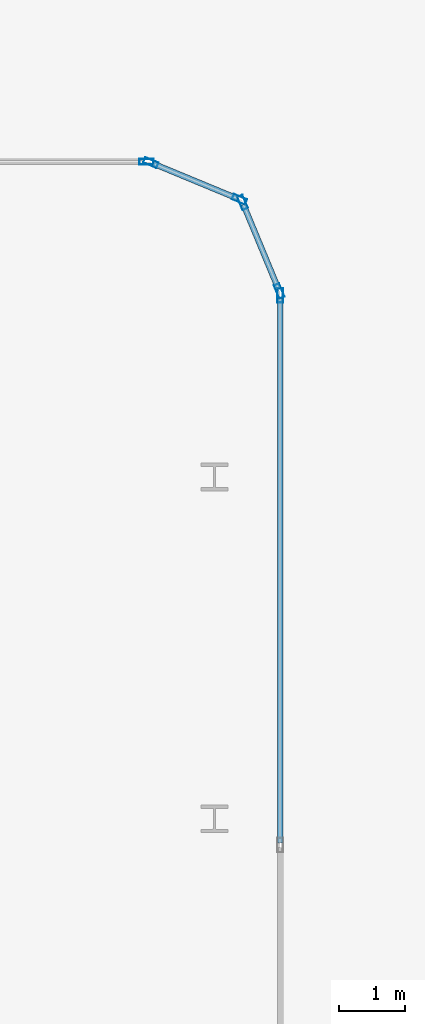
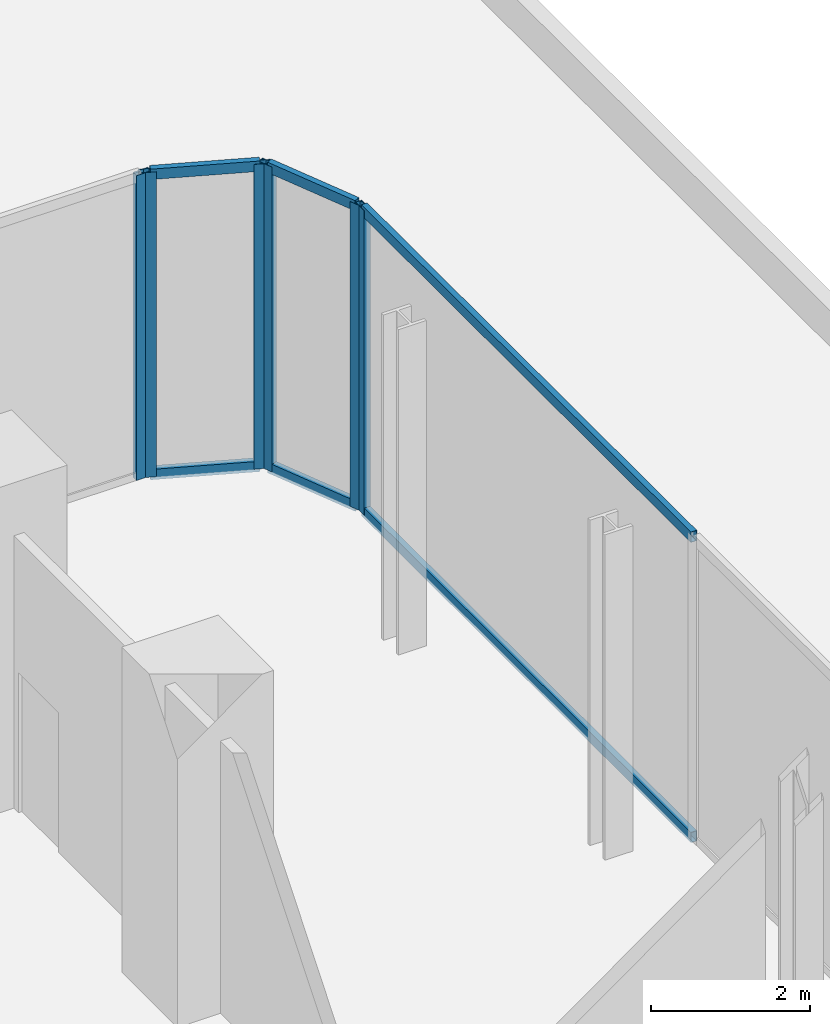
# One storey, part 16 of 29: 12 members, 4 elements without a shape of their own.
"""IFC4 building model written with IfcOpenShell, lengths in metres."""

from ifc_helpers import new_model, si_unit, direction, frame, origin, origin_2d, place, context, subcontext, project, spatial, hollow_rectangle, extrude, material, layer, layer_set, material_profile, profile_set, type_object, element, aggregate, save


model = new_model("IFC4")

# Units and contexts
model_context = context("Model", 3, precision=1e-05, world=origin(), true_north=direction((0.0, 1.0)))
body_context = subcontext(model_context, "Body", "Model", "MODEL_VIEW")
ifc_project = project(units=[si_unit("LENGTHUNIT", "METRE"), si_unit("AREAUNIT", "SQUARE_METRE"), si_unit("VOLUMEUNIT", "CUBIC_METRE"), si_unit("PLANEANGLEUNIT", "RADIAN"), si_unit("MASSUNIT", "GRAM", prefix="KILO")], contexts=[model_context])

# Site, building, storey
site_placement = place(None, origin())
site = spatial("IfcSite", under=ifc_project, at=site_placement, CompositionType="ELEMENT")
building_placement = place(site_placement, origin())
building = spatial("IfcBuilding", under=site, at=building_placement, Name="Keshet Zoharim Tower", CompositionType="ELEMENT")
storey_placement = place(building_placement, frame((0.0, 0.0, 19.0)))
storey = spatial("IfcBuildingStorey", under=building, at=storey_placement, Name="L03", CompositionType="ELEMENT", Elevation=19.0)

# Curtain wall, member
ifc_material = material(Name="Aluminium 6063-T6", Category="aluminium")
ifc_layer = layer(ifc_material, 0.169921875)
ifc_layer_set = layer_set([ifc_layer], Name="Aluminium 6063-T6")
curtain_wall_type = type_object("IfcCurtainWallType", Name="CW-SYS-02", PredefinedType="NOTDEFINED", material=ifc_layer_set)
curtain_wall_1_placement = place(storey_placement, origin())
curtain_wall_1 = element("IfcCurtainWall", 1, at=curtain_wall_1_placement, inside=storey, type_object=curtain_wall_type, Name="L03 Unitised Curtain Wall 12", PredefinedType="NOTDEFINED")
ifc_material_profile_1 = material_profile(ifc_material, hollow_rectangle(XDim=0.090087890625, YDim=0.219970703125, WallThickness=0.0048828125, at=origin_2d()), Name="MUL-90x220")
ifc_profile_set_1 = profile_set([ifc_material_profile_1], Name="Aluminium 6063-T6")
member_type_1 = type_object("IfcMemberType", Name="CWM-M22", PredefinedType="MULLION", material=ifc_profile_set_1)
member_1_placement = place(storey_placement, frame((67.965087890625, 32.699951171875, 0.0), z_axis=(0.0, 0.0, 1.0), x_axis=(0.0, 1.0, 0.0)))
member_1 = element("IfcMember", 2, at=member_1_placement, type_object=member_type_1, Name="CW-02 mullion 2", PredefinedType="MULLION", context=body_context, shape_type="SweptSolid", body=[
    extrude(hollow_rectangle(XDim=0.090087890625, YDim=0.219970703125, WallThickness=0.0048828125, at=origin_2d()), origin(), (0.0, 0.0, 1.0), 4.68505859375),
])
aggregate(curtain_wall_1, [member_1])

# Curtain wall, members
curtain_wall_2_placement = place(storey_placement, origin())
curtain_wall_2 = element("IfcCurtainWall", 3, at=curtain_wall_2_placement, inside=storey, type_object=curtain_wall_type, Name="L03 Unitised Curtain Wall 13", PredefinedType="NOTDEFINED")
member_2_placement = place(storey_placement, frame((68.0322265625, 32.6865234375, 0.0), z_axis=(0.0, 0.0, 1.0), x_axis=(0.382851849847, 0.92380975372, 0.0)))
member_2 = element("IfcMember", 4, at=member_2_placement, type_object=member_type_1, Name="CW-02 mullion 1", PredefinedType="MULLION", context=body_context, shape_type="SweptSolid", body=[
    extrude(hollow_rectangle(XDim=0.090087890625, YDim=0.219970703125, WallThickness=0.0048828125, at=origin_2d()), origin(), (0.0, 0.0, 1.0), 4.68505859375),
])
member_3_placement = place(storey_placement, frame((69.381591796875, 32.12744140625, 0.0), z_axis=(0.0, 0.0, 1.0), x_axis=(0.382851849847, 0.92380975372, 0.0)))
member_3 = element("IfcMember", 5, at=member_3_placement, type_object=member_type_1, Name="CW-02 mullion 2", PredefinedType="MULLION", context=body_context, shape_type="SweptSolid", body=[
    extrude(hollow_rectangle(XDim=0.090087890625, YDim=0.219970703125, WallThickness=0.0048828125, at=origin_2d()), origin(), (0.0, 0.0, 1.0), 4.68505859375),
])

curtain_wall_3_placement = place(storey_placement, origin())
curtain_wall_3 = element("IfcCurtainWall", 6, at=curtain_wall_3_placement, inside=storey, type_object=curtain_wall_type, Name="L03 Unitised Curtain Wall 14", PredefinedType="NOTDEFINED")
member_4_placement = place(storey_placement, frame((69.427490234375, 32.081787109375, 0.0), z_axis=(0.0, 0.0, 1.0), x_axis=(0.92380975372, 0.382851849847, 0.0)))
member_4 = element("IfcMember", 7, at=member_4_placement, type_object=member_type_1, Name="CW-02 mullion 1", PredefinedType="MULLION", context=body_context, shape_type="SweptSolid", body=[
    extrude(hollow_rectangle(XDim=0.090087890625, YDim=0.219970703125, WallThickness=0.0048828125, at=origin_2d()), origin(), (0.0, 0.0, 1.0), 4.68505859375),
])
member_5_placement = place(storey_placement, frame((69.986572265625, 30.732421875, 0.0), z_axis=(0.0, 0.0, 1.0), x_axis=(0.92380975372, 0.382851849847, 0.0)))
member_5 = element("IfcMember", 8, at=member_5_placement, type_object=member_type_1, Name="CW-02 mullion 2", PredefinedType="MULLION", context=body_context, shape_type="SweptSolid", body=[
    extrude(hollow_rectangle(XDim=0.090087890625, YDim=0.219970703125, WallThickness=0.0048828125, at=origin_2d()), origin(), (0.0, 0.0, 1.0), 4.68505859375),
])

# Curtain wall, member
curtain_wall_4_placement = place(storey_placement, origin())
curtain_wall_4 = element("IfcCurtainWall", 9, at=curtain_wall_4_placement, inside=storey, type_object=curtain_wall_type, Name="L03 Unitised Curtain Wall 15", PredefinedType="NOTDEFINED")
member_6_placement = place(storey_placement, frame((70.0, 30.6650390625, 0.0), z_axis=(0.0, 0.0, 1.0), x_axis=(1.0, 0.0, 0.0)))
member_6 = element("IfcMember", 10, at=member_6_placement, type_object=member_type_1, Name="CW-02 mullion 1", PredefinedType="MULLION", context=body_context, shape_type="SweptSolid", body=[
    extrude(hollow_rectangle(XDim=0.090087890625, YDim=0.219970703125, WallThickness=0.0048828125, at=origin_2d()), origin(), (0.0, 0.0, 1.0), 4.68505859375),
])

# Member
ifc_material_profile_2 = material_profile(ifc_material, hollow_rectangle(XDim=0.0849609375, YDim=0.159912109375, WallThickness=0.00439453125, at=origin_2d()), Name="TRN-85x160")
ifc_profile_set_2 = profile_set([ifc_material_profile_2], Name="Aluminium 6063-T6")
member_type_2 = type_object("IfcMemberType", Name="CWT-T16", PredefinedType="USERDEFINED", material=ifc_profile_set_2)
member_7_placement = place(storey_placement, frame((68.064697265625, 32.673095703125, 0.034912109375), z_axis=(0.923854189844, -0.382744609247, 0.0), x_axis=(0.382744609247, 0.923854189844, 0.0)))
member_7 = element("IfcMember", 11, at=member_7_placement, type_object=member_type_2, Name="CW-02 transom 1.1", ObjectType="TRANSOM", PredefinedType="USERDEFINED", context=body_context, shape_type="SweptSolid", body=[
    extrude(hollow_rectangle(XDim=0.0849609375, YDim=0.159912109375, WallThickness=0.00439453125, at=origin_2d()), origin(), (0.0, 0.0, 1.0), 1.390625),
])

member_8_placement = place(storey_placement, frame((68.064697265625, 32.673095703125, 4.64990234375), z_axis=(0.923854189844, -0.382744609247, 0.0), x_axis=(0.382744609247, 0.923854189844, 0.0)))
member_8 = element("IfcMember", 12, at=member_8_placement, type_object=member_type_2, Name="CW-02 transom 1.2", ObjectType="TRANSOM", PredefinedType="USERDEFINED", context=body_context, shape_type="SweptSolid", body=[
    extrude(hollow_rectangle(XDim=0.0849609375, YDim=0.159912109375, WallThickness=0.00439453125, at=origin_2d()), origin(), (0.0, 0.0, 1.0), 1.390625),
])

aggregate(curtain_wall_2, [member_2, member_3, member_7, member_8])

member_9_placement = place(storey_placement, frame((69.44091796875, 32.04931640625, 0.034912109375), z_axis=(0.382744609247, -0.923854189844, 0.0), x_axis=(0.923854189844, 0.382744609247, 0.0)))
member_9 = element("IfcMember", 13, at=member_9_placement, type_object=member_type_2, Name="CW-02 transom 1.1", ObjectType="TRANSOM", PredefinedType="USERDEFINED", context=body_context, shape_type="SweptSolid", body=[
    extrude(hollow_rectangle(XDim=0.0849609375, YDim=0.159912109375, WallThickness=0.00439453125, at=origin_2d()), origin(), (0.0, 0.0, 1.0), 1.390625),
])

member_10_placement = place(storey_placement, frame((69.44091796875, 32.04931640625, 4.64990234375), z_axis=(0.382744609247, -0.923854189844, 0.0), x_axis=(0.923854189844, 0.382744609247, 0.0)))
member_10 = element("IfcMember", 14, at=member_10_placement, type_object=member_type_2, Name="CW-02 transom 1.2", ObjectType="TRANSOM", PredefinedType="USERDEFINED", context=body_context, shape_type="SweptSolid", body=[
    extrude(hollow_rectangle(XDim=0.0849609375, YDim=0.159912109375, WallThickness=0.00439453125, at=origin_2d()), origin(), (0.0, 0.0, 1.0), 1.390625),
])

aggregate(curtain_wall_3, [member_4, member_5, member_9, member_10])

member_11_placement = place(storey_placement, frame((70.0, 30.6298828125, 0.034912109375), z_axis=(0.0, -1.0, 0.0), x_axis=(1.0, 0.0, 0.0)))
member_11 = element("IfcMember", 15, at=member_11_placement, type_object=member_type_2, Name="CW-02 transom 1.1", ObjectType="TRANSOM", PredefinedType="USERDEFINED", context=body_context, shape_type="SweptSolid", body=[
    extrude(hollow_rectangle(XDim=0.0849609375, YDim=0.159912109375, WallThickness=0.00439453125, at=origin_2d()), origin(), (0.0, 0.0, 1.0), 8.29638671875),
])

member_12_placement = place(storey_placement, frame((70.0, 30.6298828125, 4.64990234375), z_axis=(0.0, -1.0, 0.0), x_axis=(1.0, 0.0, 0.0)))
member_12 = element("IfcMember", 16, at=member_12_placement, type_object=member_type_2, Name="CW-02 transom 1.2", ObjectType="TRANSOM", PredefinedType="USERDEFINED", context=body_context, shape_type="SweptSolid", body=[
    extrude(hollow_rectangle(XDim=0.0849609375, YDim=0.159912109375, WallThickness=0.00439453125, at=origin_2d()), origin(), (0.0, 0.0, 1.0), 8.29638671875),
])

aggregate(curtain_wall_4, [member_6, member_11, member_12])

save(model, "model.ifc")
